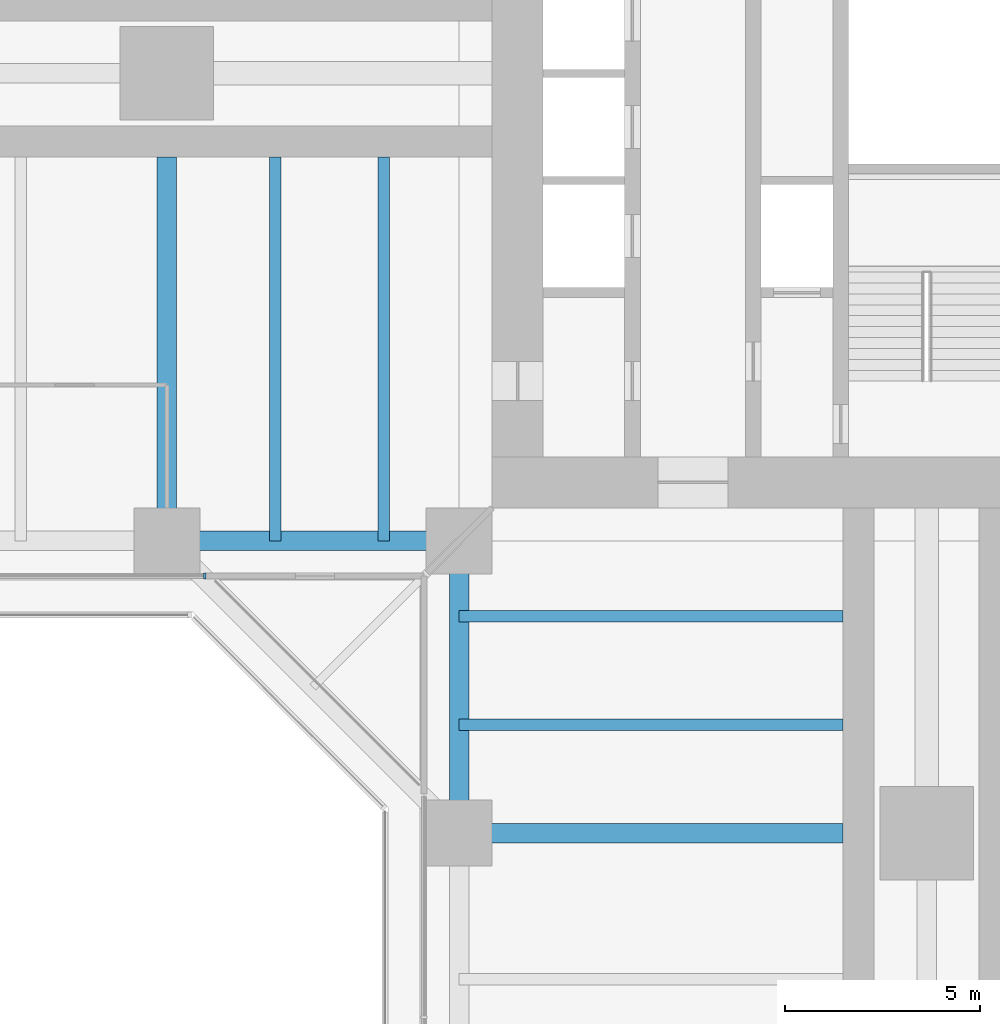
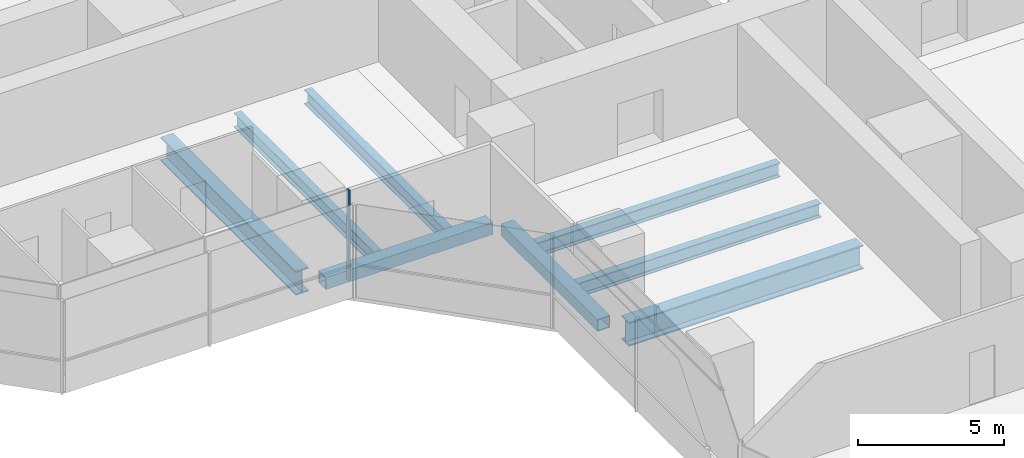
# One storey, part 4 of 22: 8 beams, 1 member, 1 element without a shape of its own.
"""IFC4 building model written with IfcOpenShell, lengths in metres."""

from ifc_helpers import new_model, si_unit, direction, frame, origin, origin_2d, place, context, subcontext, project, spatial, rectangle, hollow_rectangle, i_section, extrude, material, material_profile, profile_set, type_object, element, aggregate, save


model = new_model("IFC4")

# Units and contexts
model_context = context("Model", 3, precision=1e-05, world=origin(), true_north=direction((0.0, 1.0)))
body_context = subcontext(model_context, "Body", "Model", "MODEL_VIEW")
ifc_project = project(units=[si_unit("LENGTHUNIT", "METRE"), si_unit("AREAUNIT", "SQUARE_METRE"), si_unit("VOLUMEUNIT", "CUBIC_METRE"), si_unit("PLANEANGLEUNIT", "RADIAN"), si_unit("MASSUNIT", "GRAM", prefix="KILO")], contexts=[model_context])

# Site, building, storey
site_placement = place(None, origin())
site = spatial("IfcSite", under=ifc_project, at=site_placement, CompositionType="ELEMENT")
building_placement = place(site_placement, origin())
building = spatial("IfcBuilding", under=site, at=building_placement, Name="Mizan Broadcast Tower", CompositionType="ELEMENT")
storey_placement = place(building_placement, frame((0.0, 0.0, 74.699951171875)))
storey = spatial("IfcBuildingStorey", under=building, at=storey_placement, Name="L15", CompositionType="ELEMENT", Elevation=74.699951171875)

# Beams
ifc_material_1 = material(Name="Steel S355", Category="steel")
ifc_material_profile_1 = material_profile(ifc_material_1, hollow_rectangle(XDim=0.5, YDim=0.5, WallThickness=0.030029296875, at=origin_2d()), Name="BOX 500x500x30")
ifc_profile_set_1 = profile_set([ifc_material_profile_1], Name="Steel S355")
beam_type_1 = type_object("IfcBeamType", Name="EDGE BEAM BOX 500x500x30", PredefinedType="SPANDREL", material=ifc_profile_set_1)
for number, where, z_axis, x_axis, name in (
    (1, (-12.449951171875, -12.0, -0.3798828125), (-1.0, 0.0, 0.0), (0.0, -1.0, 0.0), "Edge beam BOX 500x500x30 L15 west arm"),
    (2, (-12.0, -12.449951171875, -0.3798828125), (0.0, -1.0, 0.0), (1.0, 0.0, 0.0), "Edge beam BOX 500x500x30 L15 south arm"),
):
    element("IfcBeam", number, at=place(storey_placement, frame(where, z_axis=z_axis, x_axis=x_axis)), inside=storey, type_object=beam_type_1, Name=name, PredefinedType="SPANDREL", context=body_context, shape_type="SweptSolid", body=[
        extrude(hollow_rectangle(XDim=0.5, YDim=0.5, WallThickness=0.030029296875, at=origin_2d()), origin(), (0.0, 0.0, 1.0), 6.60009765625),
    ])
ifc_material_2 = material(Name="Steel S460", Category="steel")
ifc_material_profile_2 = material_profile(ifc_material_2, i_section(OverallWidth=0.5, OverallDepth=1.0, WebThickness=0.02490234375, FlangeThickness=0.050048828125, at=origin_2d()), Name="WPG 1000x500")
ifc_profile_set_2 = profile_set([ifc_material_profile_2], Name="Steel S460")
beam_type_2 = type_object("IfcBeamType", Name="GIRDER WPG 1000x500", PredefinedType="BEAM", material=ifc_profile_set_2)
for number, where, z_axis, x_axis, name in (
    (3, (-19.5, -11.408935546875, -0.6298828125), (0.0, 1.0, 0.0), (-1.0, 0.0, 0.0), "Girder WPG 1000x500 L15 west arm"),
    (4, (-11.408935546875, -19.5, -0.6298828125), (1.0, 0.0, 0.0), (0.0, 1.0, 0.0), "Girder WPG 1000x500 L15 south arm"),
):
    element("IfcBeam", number, at=place(storey_placement, frame(where, z_axis=z_axis, x_axis=x_axis)), inside=storey, type_object=beam_type_2, Name=name, PredefinedType="BEAM", context=body_context, shape_type="SweptSolid", body=[
        extrude(i_section(OverallWidth=0.5, OverallDepth=1.0, WebThickness=0.02490234375, FlangeThickness=0.050048828125, at=origin_2d()), origin(), (0.0, 0.0, 1.0), 9.259033203125),
    ])

# Curtain wall, member
ifc_material_3 = material(Name="Aluminium framed glazing", Category="aluminium")
curtain_wall_type = type_object("IfcCurtainWallType", Name="INNER SKIN LOW ZONE", PredefinedType="USERDEFINED", material=ifc_material_3)
curtain_wall_placement = place(storey_placement, origin())
curtain_wall = element("IfcCurtainWall", 5, at=curtain_wall_placement, inside=storey, type_object=curtain_wall_type, Name="Inner skin low zone L15 W side", ObjectType="INNER SKIN LOW ZONE", PredefinedType="USERDEFINED")
ifc_material_4 = material(Name="Aluminium, pale anodised", Category="aluminium")
ifc_material_profile_3 = material_profile(ifc_material_4, rectangle(XDim=0.159912109375, YDim=0.06005859375, at=origin_2d()), Name="MULLION 160x60")
ifc_profile_set_3 = profile_set([ifc_material_profile_3], Name="Aluminium, pale anodised")
member_type = type_object("IfcMemberType", Name="INNER SKIN MULLION 60x160", PredefinedType="MULLION", material=ifc_profile_set_3)
member_placement = place(storey_placement, frame((-18.530029296875, -12.89990234375, 0.0), z_axis=(0.0, 0.0, 1.0), x_axis=(0.0, 1.0, 0.0)))
member = element("IfcMember", 6, at=member_placement, type_object=member_type, Name="Inner skin low zone L15 W side mullion 3", PredefinedType="MULLION", context=body_context, shape_type="SweptSolid", body=[
    extrude(rectangle(XDim=0.159912109375, YDim=0.06005859375, at=origin_2d()), origin(), (0.0, 0.0, 1.0), 3.77001953125),
])
aggregate(curtain_wall, [member])

# Beams
ifc_material_5 = material(Name="Steel S355", Category="steel")
ifc_material_profile_4 = material_profile(ifc_material_5, i_section(OverallWidth=0.300048828125, OverallDepth=0.590087890625, WebThickness=0.012939453125, FlangeThickness=0.02490234375, FilletRadius=0.027099609375, at=origin_2d()), Name="HEA 600")
ifc_profile_set_4 = profile_set([ifc_material_profile_4], Name="Steel S355")
beam_type_3 = type_object("IfcBeamType", Name="SECONDARY BEAM HEA 600", PredefinedType="JOIST", material=ifc_profile_set_4)
for number, where, z_axis, x_axis, name in (
    (7, (-13.933349609375, -12.0, -0.425048828125), (0.0, 1.0, 0.0), (-1.0, 0.0, 0.0), "Secondary beam HEA 600 L15 west arm"),
    (8, (-16.716552734375, -12.0, -0.425048828125), (0.0, 1.0, 0.0), (-1.0, 0.0, 0.0), "Secondary beam HEA 600 L15 west arm"),
    (9, (-12.0, -13.933349609375, -0.425048828125), (1.0, 0.0, 0.0), (0.0, 1.0, 0.0), "Secondary beam HEA 600 L15 south arm"),
    (10, (-12.0, -16.716552734375, -0.425048828125), (1.0, 0.0, 0.0), (0.0, 1.0, 0.0), "Secondary beam HEA 600 L15 south arm"),
):
    element("IfcBeam", number, at=place(storey_placement, frame(where, z_axis=z_axis, x_axis=x_axis)), inside=storey, type_object=beam_type_3, Name=name, PredefinedType="JOIST", context=body_context, shape_type="SweptSolid", body=[
        extrude(i_section(OverallWidth=0.300048828125, OverallDepth=0.590087890625, WebThickness=0.012939453125, FlangeThickness=0.02490234375, FilletRadius=0.027099609375, at=origin_2d()), origin(), (0.0, 0.0, 1.0), 9.85009765625),
    ])

save(model, "model.ifc")
